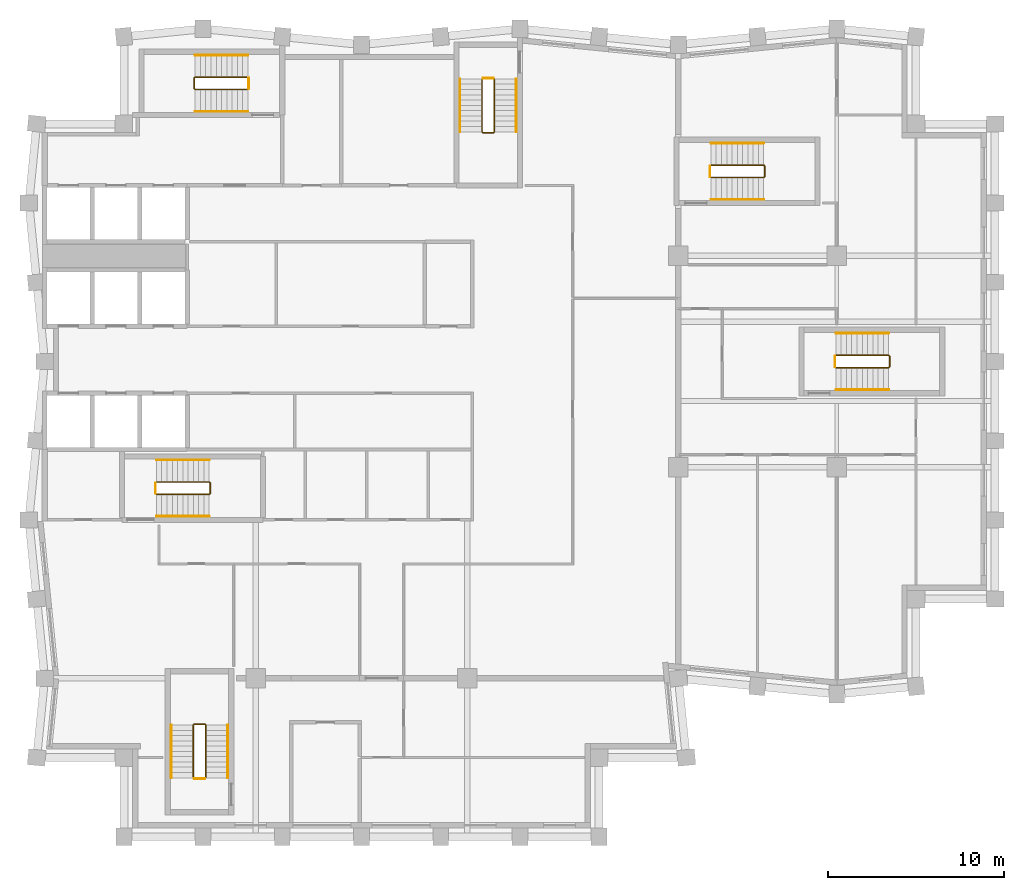
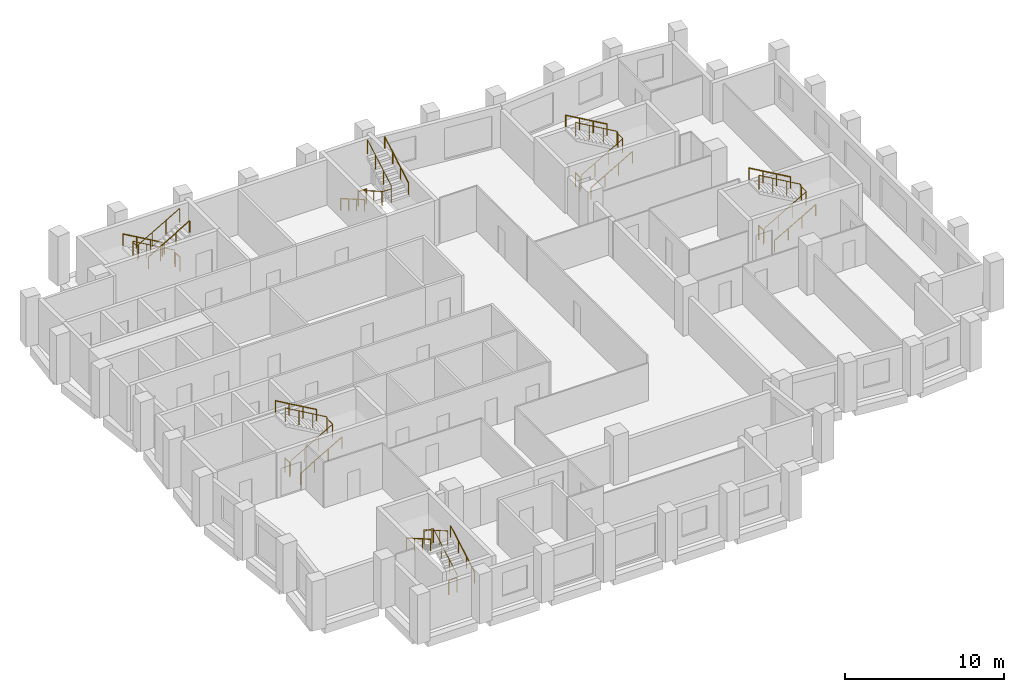
# One storey, part 8 of 8: 24 railings.
"""IFC4 building model written with IfcOpenShell, lengths in metres."""

from ifc_helpers import new_model, si_unit, direction, frame, origin, origin_2d, place, context, subcontext, project, spatial, circle, extrude, material, type_object, element, save


model = new_model("IFC4")

# Units and contexts
model_context = context("Model", 3, precision=1e-05, world=origin(), true_north=direction((0.0, 1.0)))
body_context = subcontext(model_context, "Body", "Model", "MODEL_VIEW")
ifc_project = project(units=[si_unit("LENGTHUNIT", "METRE"), si_unit("AREAUNIT", "SQUARE_METRE"), si_unit("VOLUMEUNIT", "CUBIC_METRE"), si_unit("PLANEANGLEUNIT", "RADIAN"), si_unit("MASSUNIT", "GRAM", prefix="KILO")], contexts=[model_context])

# Site, building, storey
site_placement = place(None, origin())
site = spatial("IfcSite", under=ifc_project, at=site_placement, CompositionType="ELEMENT")
building_placement = place(site_placement, origin())
building = spatial("IfcBuilding", under=site, at=building_placement, Name="Brondeck Convention Tower", CompositionType="ELEMENT")
storey_placement = place(building_placement, frame((0.0, 0.0, 225.39990234375)))
storey = spatial("IfcBuildingStorey", under=building, at=storey_placement, Name="L55", CompositionType="ELEMENT", Elevation=225.39990234375)

# Railings
ifc_material = material(Name="Steel S355", Category="steel")
railing_type_1 = type_object("IfcRailingType", Name="Stair guard 1100", PredefinedType="GUARDRAIL", material=ifc_material)
railing_1_placement = place(storey_placement, frame((6.35009765625, 37.449951171875, 0.1728515625)))
element("IfcRailing", 1, at=railing_1_placement, inside=storey, type_object=railing_type_1, Name="L55 ST-1 stair guard 1", PredefinedType="GUARDRAIL", context=body_context, shape_type="SweptSolid", body=[
    extrude(circle(Radius=0.02392578125, at=origin_2d()), frame((0.0, 0.0, 1.076171875), z_axis=(0.866619684472, 0.0, 0.498969260062), x_axis=(0.0, 1.0, 0.0)), (0.0, 0.0, 1.0), 3.461669921875),
    extrude(circle(Radius=0.02392578125, at=origin_2d()), frame((3.0, 0.0, 2.80322265625), z_axis=(0.705375805398, 0.708833529934, 0.0), x_axis=(-0.708833529934, 0.705375805398, 0.0)), (0.0, 0.0, 1.0), 0.070556640625),
    extrude(circle(Radius=0.02392578125, at=origin_2d()), frame((3.0498046875, 0.050048828125, 2.80322265625), z_axis=(0.0, 1.0, 0.0), x_axis=(-1.0, 0.0, 0.0)), (0.0, 0.0, 1.0), 0.60009765625),
    extrude(circle(Radius=0.02392578125, at=origin_2d()), frame((3.0498046875, 0.650146484375, 2.80322265625), z_axis=(-0.26715648603, 0.26715648603, 0.925880566782), x_axis=(-0.707106781187, -0.707106781187, 0.0)), (0.0, 0.0, 1.0), 0.1865234375),
    extrude(circle(Radius=0.02392578125, at=origin_2d()), frame((3.0, 0.699951171875, 2.97607421875), z_axis=(-0.866619684472, 0.0, 0.498969260062), x_axis=(0.0, -1.0, 0.0)), (0.0, 0.0, 1.0), 3.461669921875),
    extrude(circle(Radius=0.02099609375, at=origin_2d()), origin(), (0.0, 0.0, 1.0), 1.052001953125),
    extrude(circle(Radius=0.02099609375, at=origin_2d()), frame((1.0, 0.0, 0.57568359375)), (0.0, 0.0, 1.0), 1.052001953125),
    extrude(circle(Radius=0.02099609375, at=origin_2d()), frame((2.0, 0.0, 1.151611328125)), (0.0, 0.0, 1.0), 1.052001953125),
    extrude(circle(Radius=0.02099609375, at=origin_2d()), frame((3.0, 0.0, 1.727294921875)), (0.0, 0.0, 1.0), 1.052001953125),
    extrude(circle(Radius=0.02099609375, at=origin_2d()), frame((3.0498046875, 0.050048828125, 1.727294921875)), (0.0, 0.0, 1.0), 1.052001953125),
    extrude(circle(Radius=0.02099609375, at=origin_2d()), frame((3.0498046875, 0.650146484375, 1.727294921875)), (0.0, 0.0, 1.0), 1.052001953125),
    extrude(circle(Radius=0.02099609375, at=origin_2d()), frame((3.0, 0.699951171875, 1.89990234375)), (0.0, 0.0, 1.0), 1.052001953125),
    extrude(circle(Radius=0.02099609375, at=origin_2d()), frame((2.0, 0.699951171875, 2.4755859375)), (0.0, 0.0, 1.0), 1.052001953125),
    extrude(circle(Radius=0.02099609375, at=origin_2d()), frame((1.0, 0.699951171875, 3.051513671875)), (0.0, 0.0, 1.0), 1.052001953125),
    extrude(circle(Radius=0.02099609375, at=origin_2d()), frame((0.0, 0.699951171875, 3.627197265625)), (0.0, 0.0, 1.0), 1.052001953125),
])
railing_2_placement = place(storey_placement, frame((6.300048828125, 37.5, 0.0)))
element("IfcRailing", 2, at=railing_2_placement, inside=storey, type_object=railing_type_1, Name="L55 ST-1 stair guard 2", PredefinedType="GUARDRAIL", context=body_context, shape_type="SweptSolid", body=[
    extrude(circle(Radius=0.02392578125, at=origin_2d()), frame((0.0, 0.0, 1.076171875), z_axis=(0.0, 1.0, 0.0), x_axis=(-1.0, 0.0, 0.0)), (0.0, 0.0, 1.0), 0.60009765625),
    extrude(circle(Radius=0.02099609375, at=origin_2d()), origin(), (0.0, 0.0, 1.0), 1.052001953125),
    extrude(circle(Radius=0.02099609375, at=origin_2d()), frame((0.0, 0.60009765625, 0.0)), (0.0, 0.0, 1.0), 1.052001953125),
])
railing_3_placement = place(storey_placement, frame((24.85009765625, 61.050048828125, 0.1728515625)))
element("IfcRailing", 3, at=railing_3_placement, inside=storey, type_object=railing_type_1, Name="L55 ST-2 stair guard 1", PredefinedType="GUARDRAIL", context=body_context, shape_type="SweptSolid", body=[
    extrude(circle(Radius=0.02392578125, at=origin_2d()), frame((0.0, 0.0, 1.076171875), z_axis=(0.0, -0.866619684472, 0.498969260062), x_axis=(1.0, 0.0, 0.0)), (0.0, 0.0, 1.0), 3.461669921875),
    extrude(circle(Radius=0.02392578125, at=origin_2d()), frame((0.0, -3.0, 2.80322265625), z_axis=(0.705375805398, -0.708833529934, 0.0), x_axis=(0.708833529934, 0.705375805398, 0.0)), (0.0, 0.0, 1.0), 0.070556640625),
    extrude(circle(Radius=0.02392578125, at=origin_2d()), frame((0.0498046875, -3.050048828125, 2.80322265625), z_axis=(1.0, 0.0, 0.0), x_axis=(0.0, 1.0, 0.0)), (0.0, 0.0, 1.0), 0.60009765625),
    extrude(circle(Radius=0.02392578125, at=origin_2d()), frame((0.64990234375, -3.050048828125, 2.80322265625), z_axis=(0.268277960024, 0.268277960024, 0.925231793839), x_axis=(-0.707106781187, 0.707106781187, 0.0)), (0.0, 0.0, 1.0), 0.1865234375),
    extrude(circle(Radius=0.02392578125, at=origin_2d()), frame((0.699951171875, -3.0, 2.97607421875), z_axis=(0.0, 0.866619684472, 0.498969260062), x_axis=(-1.0, 0.0, 0.0)), (0.0, 0.0, 1.0), 3.461669921875),
    extrude(circle(Radius=0.02099609375, at=origin_2d()), origin(), (0.0, 0.0, 1.0), 1.052001953125),
    extrude(circle(Radius=0.02099609375, at=origin_2d()), frame((0.0, -1.0, 0.57568359375)), (0.0, 0.0, 1.0), 1.052001953125),
    extrude(circle(Radius=0.02099609375, at=origin_2d()), frame((0.0, -2.0, 1.151611328125)), (0.0, 0.0, 1.0), 1.052001953125),
    extrude(circle(Radius=0.02099609375, at=origin_2d()), frame((0.0, -3.0, 1.727294921875)), (0.0, 0.0, 1.0), 1.052001953125),
    extrude(circle(Radius=0.02099609375, at=origin_2d()), frame((0.0498046875, -3.050048828125, 1.727294921875)), (0.0, 0.0, 1.0), 1.052001953125),
    extrude(circle(Radius=0.02099609375, at=origin_2d()), frame((0.64990234375, -3.050048828125, 1.727294921875)), (0.0, 0.0, 1.0), 1.052001953125),
    extrude(circle(Radius=0.02099609375, at=origin_2d()), frame((0.699951171875, -3.0, 1.89990234375)), (0.0, 0.0, 1.0), 1.052001953125),
    extrude(circle(Radius=0.02099609375, at=origin_2d()), frame((0.699951171875, -2.0, 2.4755859375)), (0.0, 0.0, 1.0), 1.052001953125),
    extrude(circle(Radius=0.02099609375, at=origin_2d()), frame((0.699951171875, -1.0, 3.051513671875)), (0.0, 0.0, 1.0), 1.052001953125),
    extrude(circle(Radius=0.02099609375, at=origin_2d()), frame((0.699951171875, 0.0, 3.627197265625)), (0.0, 0.0, 1.0), 1.052001953125),
])
railing_4_placement = place(storey_placement, frame((24.89990234375, 61.10009765625, 0.0)))
element("IfcRailing", 4, at=railing_4_placement, inside=storey, type_object=railing_type_1, Name="L55 ST-2 stair guard 2", PredefinedType="GUARDRAIL", context=body_context, shape_type="SweptSolid", body=[
    extrude(circle(Radius=0.02392578125, at=origin_2d()), frame((0.0, 0.0, 1.076171875), z_axis=(1.0, 0.0, 0.0), x_axis=(0.0, 1.0, 0.0)), (0.0, 0.0, 1.0), 0.60009765625),
    extrude(circle(Radius=0.02099609375, at=origin_2d()), origin(), (0.0, 0.0, 1.0), 1.052001953125),
    extrude(circle(Radius=0.02099609375, at=origin_2d()), frame((0.60009765625, 0.0, 0.0)), (0.0, 0.0, 1.0), 1.052001953125),
])
railing_5_placement = place(storey_placement, frame((11.550048828125, 61.14990234375, 0.1728515625)))
element("IfcRailing", 5, at=railing_5_placement, inside=storey, type_object=railing_type_1, Name="L55 ST-3 stair guard 1", PredefinedType="GUARDRAIL", context=body_context, shape_type="SweptSolid", body=[
    extrude(circle(Radius=0.02392578125, at=origin_2d()), frame((0.0, 0.0, 1.076171875), z_axis=(-0.866619684472, 0.0, 0.498969260062), x_axis=(0.0, -1.0, 0.0)), (0.0, 0.0, 1.0), 3.461669921875),
    extrude(circle(Radius=0.02392578125, at=origin_2d()), frame((-3.0, 0.0, 2.80322265625), z_axis=(-0.708833529934, -0.705375805398, 0.0), x_axis=(0.705375805398, -0.708833529934, 0.0)), (0.0, 0.0, 1.0), 0.070556640625),
    extrude(circle(Radius=0.02392578125, at=origin_2d()), frame((-3.050048828125, -0.0498046875, 2.80322265625), z_axis=(0.0, -1.0, 0.0), x_axis=(1.0, 0.0, 0.0)), (0.0, 0.0, 1.0), 0.60009765625),
    extrude(circle(Radius=0.02392578125, at=origin_2d()), frame((-3.050048828125, -0.64990234375, 2.80322265625), z_axis=(0.268277960024, -0.268277960024, 0.925231793839), x_axis=(0.707106781187, 0.707106781187, 0.0)), (0.0, 0.0, 1.0), 0.1865234375),
    extrude(circle(Radius=0.02392578125, at=origin_2d()), frame((-3.0, -0.699951171875, 2.97607421875), z_axis=(0.866619684472, 0.0, 0.498969260062), x_axis=(0.0, 1.0, 0.0)), (0.0, 0.0, 1.0), 3.461669921875),
    extrude(circle(Radius=0.02099609375, at=origin_2d()), origin(), (0.0, 0.0, 1.0), 1.052001953125),
    extrude(circle(Radius=0.02099609375, at=origin_2d()), frame((-1.0, 0.0, 0.57568359375)), (0.0, 0.0, 1.0), 1.052001953125),
    extrude(circle(Radius=0.02099609375, at=origin_2d()), frame((-2.0, 0.0, 1.151611328125)), (0.0, 0.0, 1.0), 1.052001953125),
    extrude(circle(Radius=0.02099609375, at=origin_2d()), frame((-3.0, 0.0, 1.727294921875)), (0.0, 0.0, 1.0), 1.052001953125),
    extrude(circle(Radius=0.02099609375, at=origin_2d()), frame((-3.050048828125, -0.0498046875, 1.727294921875)), (0.0, 0.0, 1.0), 1.052001953125),
    extrude(circle(Radius=0.02099609375, at=origin_2d()), frame((-3.050048828125, -0.64990234375, 1.727294921875)), (0.0, 0.0, 1.0), 1.052001953125),
    extrude(circle(Radius=0.02099609375, at=origin_2d()), frame((-3.0, -0.699951171875, 1.89990234375)), (0.0, 0.0, 1.0), 1.052001953125),
    extrude(circle(Radius=0.02099609375, at=origin_2d()), frame((-2.0, -0.699951171875, 2.4755859375)), (0.0, 0.0, 1.0), 1.052001953125),
    extrude(circle(Radius=0.02099609375, at=origin_2d()), frame((-1.0, -0.699951171875, 3.051513671875)), (0.0, 0.0, 1.0), 1.052001953125),
    extrude(circle(Radius=0.02099609375, at=origin_2d()), frame((0.0, -0.699951171875, 3.627197265625)), (0.0, 0.0, 1.0), 1.052001953125),
])
railing_6_placement = place(storey_placement, frame((11.60009765625, 61.10009765625, 0.0)))
element("IfcRailing", 6, at=railing_6_placement, inside=storey, type_object=railing_type_1, Name="L55 ST-3 stair guard 2", PredefinedType="GUARDRAIL", context=body_context, shape_type="SweptSolid", body=[
    extrude(circle(Radius=0.02392578125, at=origin_2d()), frame((0.0, 0.0, 1.076171875), z_axis=(0.0, -1.0, 0.0), x_axis=(1.0, 0.0, 0.0)), (0.0, 0.0, 1.0), 0.60009765625),
    extrude(circle(Radius=0.02099609375, at=origin_2d()), origin(), (0.0, 0.0, 1.0), 1.052001953125),
    extrude(circle(Radius=0.02099609375, at=origin_2d()), frame((0.0, -0.60009765625, 0.0)), (0.0, 0.0, 1.0), 1.052001953125),
])
railing_7_placement = place(storey_placement, frame((37.85009765625, 55.449951171875, 0.1728515625)))
element("IfcRailing", 7, at=railing_7_placement, inside=storey, type_object=railing_type_1, Name="L55 ST-AE stair guard 1", PredefinedType="GUARDRAIL", context=body_context, shape_type="SweptSolid", body=[
    extrude(circle(Radius=0.02392578125, at=origin_2d()), frame((0.0, 0.0, 1.076171875), z_axis=(0.866619684472, 0.0, 0.498969260062), x_axis=(0.0, 1.0, 0.0)), (0.0, 0.0, 1.0), 3.461669921875),
    extrude(circle(Radius=0.02392578125, at=origin_2d()), frame((3.0, 0.0, 2.80322265625), z_axis=(0.705375805398, 0.708833529934, 0.0), x_axis=(-0.708833529934, 0.705375805398, 0.0)), (0.0, 0.0, 1.0), 0.070556640625),
    extrude(circle(Radius=0.02392578125, at=origin_2d()), frame((3.0498046875, 0.050048828125, 2.80322265625), z_axis=(0.0, 1.0, 0.0), x_axis=(-1.0, 0.0, 0.0)), (0.0, 0.0, 1.0), 0.60009765625),
    extrude(circle(Radius=0.02392578125, at=origin_2d()), frame((3.0498046875, 0.650146484375, 2.80322265625), z_axis=(-0.26715648603, 0.26715648603, 0.925880566782), x_axis=(-0.707106781187, -0.707106781187, 0.0)), (0.0, 0.0, 1.0), 0.1865234375),
    extrude(circle(Radius=0.02392578125, at=origin_2d()), frame((3.0, 0.699951171875, 2.97607421875), z_axis=(-0.866619684472, 0.0, 0.498969260062), x_axis=(0.0, -1.0, 0.0)), (0.0, 0.0, 1.0), 3.461669921875),
    extrude(circle(Radius=0.02099609375, at=origin_2d()), origin(), (0.0, 0.0, 1.0), 1.052001953125),
    extrude(circle(Radius=0.02099609375, at=origin_2d()), frame((1.0, 0.0, 0.57568359375)), (0.0, 0.0, 1.0), 1.052001953125),
    extrude(circle(Radius=0.02099609375, at=origin_2d()), frame((2.0, 0.0, 1.151611328125)), (0.0, 0.0, 1.0), 1.052001953125),
    extrude(circle(Radius=0.02099609375, at=origin_2d()), frame((3.0, 0.0, 1.727294921875)), (0.0, 0.0, 1.0), 1.052001953125),
    extrude(circle(Radius=0.02099609375, at=origin_2d()), frame((3.0498046875, 0.050048828125, 1.727294921875)), (0.0, 0.0, 1.0), 1.052001953125),
    extrude(circle(Radius=0.02099609375, at=origin_2d()), frame((3.0498046875, 0.650146484375, 1.727294921875)), (0.0, 0.0, 1.0), 1.052001953125),
    extrude(circle(Radius=0.02099609375, at=origin_2d()), frame((3.0, 0.699951171875, 1.89990234375)), (0.0, 0.0, 1.0), 1.052001953125),
    extrude(circle(Radius=0.02099609375, at=origin_2d()), frame((2.0, 0.699951171875, 2.4755859375)), (0.0, 0.0, 1.0), 1.052001953125),
    extrude(circle(Radius=0.02099609375, at=origin_2d()), frame((1.0, 0.699951171875, 3.051513671875)), (0.0, 0.0, 1.0), 1.052001953125),
    extrude(circle(Radius=0.02099609375, at=origin_2d()), frame((0.0, 0.699951171875, 3.627197265625)), (0.0, 0.0, 1.0), 1.052001953125),
])
railing_8_placement = place(storey_placement, frame((37.800048828125, 55.5, 0.0)))
element("IfcRailing", 8, at=railing_8_placement, inside=storey, type_object=railing_type_1, Name="L55 ST-AE stair guard 2", PredefinedType="GUARDRAIL", context=body_context, shape_type="SweptSolid", body=[
    extrude(circle(Radius=0.02392578125, at=origin_2d()), frame((0.0, 0.0, 1.076171875), z_axis=(0.0, 1.0, 0.0), x_axis=(-1.0, 0.0, 0.0)), (0.0, 0.0, 1.0), 0.60009765625),
    extrude(circle(Radius=0.02099609375, at=origin_2d()), origin(), (0.0, 0.0, 1.0), 1.052001953125),
    extrude(circle(Radius=0.02099609375, at=origin_2d()), frame((0.0, 0.60009765625, 0.0)), (0.0, 0.0, 1.0), 1.052001953125),
])
railing_9_placement = place(storey_placement, frame((9.14990234375, 21.35009765625, 0.1728515625)))
element("IfcRailing", 9, at=railing_9_placement, inside=storey, type_object=railing_type_1, Name="L55 ST-BE stair guard 1", PredefinedType="GUARDRAIL", context=body_context, shape_type="SweptSolid", body=[
    extrude(circle(Radius=0.02392578125, at=origin_2d()), frame((0.0, 0.0, 1.076171875), z_axis=(0.0, 0.866619684472, 0.498969260062), x_axis=(-1.0, 0.0, 0.0)), (0.0, 0.0, 1.0), 3.461669921875),
    extrude(circle(Radius=0.02392578125, at=origin_2d()), frame((0.0, 3.0, 2.80322265625), z_axis=(-0.707106781187, 0.707106781187, 0.0), x_axis=(-0.707106781187, -0.707106781187, 0.0)), (0.0, 0.0, 1.0), 0.0703125),
    extrude(circle(Radius=0.02392578125, at=origin_2d()), frame((-0.0498046875, 3.0498046875, 2.80322265625), z_axis=(-1.0, 0.0, 0.0), x_axis=(0.0, -1.0, 0.0)), (0.0, 0.0, 1.0), 0.60009765625),
    extrude(circle(Radius=0.02392578125, at=origin_2d()), frame((-0.64990234375, 3.0498046875, 2.80322265625), z_axis=(-0.268371968888, -0.267062837333, 0.925556009775), x_axis=(0.705375805398, -0.708833529934, 0.0)), (0.0, 0.0, 1.0), 0.1865234375),
    extrude(circle(Radius=0.02392578125, at=origin_2d()), frame((-0.699951171875, 3.0, 2.97607421875), z_axis=(0.0, -0.866619684472, 0.498969260062), x_axis=(1.0, 0.0, 0.0)), (0.0, 0.0, 1.0), 3.461669921875),
    extrude(circle(Radius=0.02099609375, at=origin_2d()), origin(), (0.0, 0.0, 1.0), 1.052001953125),
    extrude(circle(Radius=0.02099609375, at=origin_2d()), frame((0.0, 1.0, 0.57568359375)), (0.0, 0.0, 1.0), 1.052001953125),
    extrude(circle(Radius=0.02099609375, at=origin_2d()), frame((0.0, 2.0, 1.151611328125)), (0.0, 0.0, 1.0), 1.052001953125),
    extrude(circle(Radius=0.02099609375, at=origin_2d()), frame((0.0, 3.0, 1.727294921875)), (0.0, 0.0, 1.0), 1.052001953125),
    extrude(circle(Radius=0.02099609375, at=origin_2d()), frame((-0.0498046875, 3.0498046875, 1.727294921875)), (0.0, 0.0, 1.0), 1.052001953125),
    extrude(circle(Radius=0.02099609375, at=origin_2d()), frame((-0.64990234375, 3.0498046875, 1.727294921875)), (0.0, 0.0, 1.0), 1.052001953125),
    extrude(circle(Radius=0.02099609375, at=origin_2d()), frame((-0.699951171875, 3.0, 1.89990234375)), (0.0, 0.0, 1.0), 1.052001953125),
    extrude(circle(Radius=0.02099609375, at=origin_2d()), frame((-0.699951171875, 2.0, 2.4755859375)), (0.0, 0.0, 1.0), 1.052001953125),
    extrude(circle(Radius=0.02099609375, at=origin_2d()), frame((-0.699951171875, 1.0, 3.051513671875)), (0.0, 0.0, 1.0), 1.052001953125),
    extrude(circle(Radius=0.02099609375, at=origin_2d()), frame((-0.699951171875, 0.0, 3.627197265625)), (0.0, 0.0, 1.0), 1.052001953125),
])
railing_10_placement = place(storey_placement, frame((9.10009765625, 21.300048828125, 0.0)))
element("IfcRailing", 10, at=railing_10_placement, inside=storey, type_object=railing_type_1, Name="L55 ST-BE stair guard 2", PredefinedType="GUARDRAIL", context=body_context, shape_type="SweptSolid", body=[
    extrude(circle(Radius=0.02392578125, at=origin_2d()), frame((0.0, 0.0, 1.076171875), z_axis=(-1.0, 0.0, 0.0), x_axis=(0.0, -1.0, 0.0)), (0.0, 0.0, 1.0), 0.60009765625),
    extrude(circle(Radius=0.02099609375, at=origin_2d()), origin(), (0.0, 0.0, 1.0), 1.052001953125),
    extrude(circle(Radius=0.02099609375, at=origin_2d()), frame((-0.60009765625, 0.0, 0.0)), (0.0, 0.0, 1.0), 1.052001953125),
])
railing_11_placement = place(storey_placement, frame((44.949951171875, 44.64990234375, 0.1728515625)))
element("IfcRailing", 11, at=railing_11_placement, inside=storey, type_object=railing_type_1, Name="L55 ST-AF stair guard 1", PredefinedType="GUARDRAIL", context=body_context, shape_type="SweptSolid", body=[
    extrude(circle(Radius=0.02392578125, at=origin_2d()), frame((0.0, 0.0, 1.076171875), z_axis=(0.866619684472, 0.0, 0.498969260062), x_axis=(0.0, 1.0, 0.0)), (0.0, 0.0, 1.0), 3.461669921875),
    extrude(circle(Radius=0.02392578125, at=origin_2d()), frame((3.0, 0.0, 2.80322265625), z_axis=(0.707106781187, 0.707106781187, 0.0), x_axis=(-0.707106781187, 0.707106781187, 0.0)), (0.0, 0.0, 1.0), 0.07080078125),
    extrude(circle(Radius=0.02392578125, at=origin_2d()), frame((3.050048828125, 0.050048828125, 2.80322265625), z_axis=(0.0, 1.0, 0.0), x_axis=(-1.0, 0.0, 0.0)), (0.0, 0.0, 1.0), 0.60009765625),
    extrude(circle(Radius=0.02392578125, at=origin_2d()), frame((3.050048828125, 0.650146484375, 2.80322265625), z_axis=(-0.268277960024, 0.268277960024, 0.925231793839), x_axis=(-0.707106781187, -0.707106781187, 0.0)), (0.0, 0.0, 1.0), 0.1865234375),
    extrude(circle(Radius=0.02392578125, at=origin_2d()), frame((3.0, 0.7001953125, 2.97607421875), z_axis=(-0.866619684472, 0.0, 0.498969260062), x_axis=(0.0, -1.0, 0.0)), (0.0, 0.0, 1.0), 3.461669921875),
    extrude(circle(Radius=0.02099609375, at=origin_2d()), origin(), (0.0, 0.0, 1.0), 1.052001953125),
    extrude(circle(Radius=0.02099609375, at=origin_2d()), frame((1.0, 0.0, 0.57568359375)), (0.0, 0.0, 1.0), 1.052001953125),
    extrude(circle(Radius=0.02099609375, at=origin_2d()), frame((2.0, 0.0, 1.151611328125)), (0.0, 0.0, 1.0), 1.052001953125),
    extrude(circle(Radius=0.02099609375, at=origin_2d()), frame((3.0, 0.0, 1.727294921875)), (0.0, 0.0, 1.0), 1.052001953125),
    extrude(circle(Radius=0.02099609375, at=origin_2d()), frame((3.050048828125, 0.050048828125, 1.727294921875)), (0.0, 0.0, 1.0), 1.052001953125),
    extrude(circle(Radius=0.02099609375, at=origin_2d()), frame((3.050048828125, 0.650146484375, 1.727294921875)), (0.0, 0.0, 1.0), 1.052001953125),
    extrude(circle(Radius=0.02099609375, at=origin_2d()), frame((3.0, 0.7001953125, 1.89990234375)), (0.0, 0.0, 1.0), 1.052001953125),
    extrude(circle(Radius=0.02099609375, at=origin_2d()), frame((2.0, 0.7001953125, 2.4755859375)), (0.0, 0.0, 1.0), 1.052001953125),
    extrude(circle(Radius=0.02099609375, at=origin_2d()), frame((1.0, 0.7001953125, 3.051513671875)), (0.0, 0.0, 1.0), 1.052001953125),
    extrude(circle(Radius=0.02099609375, at=origin_2d()), frame((0.0, 0.7001953125, 3.627197265625)), (0.0, 0.0, 1.0), 1.052001953125),
])
railing_12_placement = place(storey_placement, frame((44.89990234375, 44.699951171875, 0.0)))
element("IfcRailing", 12, at=railing_12_placement, inside=storey, type_object=railing_type_1, Name="L55 ST-AF stair guard 2", PredefinedType="GUARDRAIL", context=body_context, shape_type="SweptSolid", body=[
    extrude(circle(Radius=0.02392578125, at=origin_2d()), frame((0.0, 0.0, 1.076171875), z_axis=(0.0, 1.0, 0.0), x_axis=(-1.0, 0.0, 0.0)), (0.0, 0.0, 1.0), 0.60009765625),
    extrude(circle(Radius=0.02099609375, at=origin_2d()), origin(), (0.0, 0.0, 1.0), 1.052001953125),
    extrude(circle(Radius=0.02099609375, at=origin_2d()), frame((0.0, 0.60009765625, 0.0)), (0.0, 0.0, 1.0), 1.052001953125),
])
railing_type_2 = type_object("IfcRailingType", Name="Stair handrail", PredefinedType="HANDRAIL", material=ifc_material)
railing_13_placement = place(storey_placement, frame((6.35009765625, 36.199951171875, 0.1728515625)))
element("IfcRailing", 13, at=railing_13_placement, inside=storey, type_object=railing_type_2, Name="L55 ST-1 stair handrail 1", PredefinedType="HANDRAIL", context=body_context, shape_type="SweptSolid", body=[
    extrude(circle(Radius=0.02392578125, at=origin_2d()), frame((0.0, 0.0, 0.8759765625), z_axis=(0.866619684472, 0.0, 0.498969260062), x_axis=(0.0, 1.0, 0.0)), (0.0, 0.0, 1.0), 3.461669921875),
    extrude(circle(Radius=0.02099609375, at=origin_2d()), origin(), (0.0, 0.0, 1.0), 0.851806640625),
    extrude(circle(Radius=0.02099609375, at=origin_2d()), frame((1.0, 0.0, 0.57568359375)), (0.0, 0.0, 1.0), 0.851806640625),
    extrude(circle(Radius=0.02099609375, at=origin_2d()), frame((2.0, 0.0, 1.151611328125)), (0.0, 0.0, 1.0), 0.851806640625),
    extrude(circle(Radius=0.02099609375, at=origin_2d()), frame((3.0, 0.0, 1.727294921875)), (0.0, 0.0, 1.0), 0.851806640625),
])
railing_14_placement = place(storey_placement, frame((9.35009765625, 39.39990234375, 2.07275390625)))
element("IfcRailing", 14, at=railing_14_placement, inside=storey, type_object=railing_type_2, Name="L55 ST-1 stair handrail 2", PredefinedType="HANDRAIL", context=body_context, shape_type="SweptSolid", body=[
    extrude(circle(Radius=0.02392578125, at=origin_2d()), frame((0.0, 0.0, 0.8759765625), z_axis=(-0.866619684472, 0.0, 0.498969260062), x_axis=(0.0, -1.0, 0.0)), (0.0, 0.0, 1.0), 3.461669921875),
    extrude(circle(Radius=0.02099609375, at=origin_2d()), origin(), (0.0, 0.0, 1.0), 0.851806640625),
    extrude(circle(Radius=0.02099609375, at=origin_2d()), frame((-1.0, 0.0, 0.57568359375)), (0.0, 0.0, 1.0), 0.851806640625),
    extrude(circle(Radius=0.02099609375, at=origin_2d()), frame((-2.0, 0.0, 1.151611328125)), (0.0, 0.0, 1.0), 0.851806640625),
    extrude(circle(Radius=0.02099609375, at=origin_2d()), frame((-3.0, 0.0, 1.727294921875)), (0.0, 0.0, 1.0), 0.851806640625),
])
railing_15_placement = place(storey_placement, frame((23.60009765625, 61.050048828125, 0.1728515625)))
element("IfcRailing", 15, at=railing_15_placement, inside=storey, type_object=railing_type_2, Name="L55 ST-2 stair handrail 1", PredefinedType="HANDRAIL", context=body_context, shape_type="SweptSolid", body=[
    extrude(circle(Radius=0.02392578125, at=origin_2d()), frame((0.0, 0.0, 0.8759765625), z_axis=(0.0, -0.866619684472, 0.498969260062), x_axis=(1.0, 0.0, 0.0)), (0.0, 0.0, 1.0), 3.461669921875),
    extrude(circle(Radius=0.02099609375, at=origin_2d()), origin(), (0.0, 0.0, 1.0), 0.851806640625),
    extrude(circle(Radius=0.02099609375, at=origin_2d()), frame((0.0, -1.0, 0.57568359375)), (0.0, 0.0, 1.0), 0.851806640625),
    extrude(circle(Radius=0.02099609375, at=origin_2d()), frame((0.0, -2.0, 1.151611328125)), (0.0, 0.0, 1.0), 0.851806640625),
    extrude(circle(Radius=0.02099609375, at=origin_2d()), frame((0.0, -3.0, 1.727294921875)), (0.0, 0.0, 1.0), 0.851806640625),
])
railing_16_placement = place(storey_placement, frame((26.800048828125, 58.050048828125, 2.07275390625)))
element("IfcRailing", 16, at=railing_16_placement, inside=storey, type_object=railing_type_2, Name="L55 ST-2 stair handrail 2", PredefinedType="HANDRAIL", context=body_context, shape_type="SweptSolid", body=[
    extrude(circle(Radius=0.02392578125, at=origin_2d()), frame((0.0, 0.0, 0.8759765625), z_axis=(0.0, 0.866619684472, 0.498969260062), x_axis=(-1.0, 0.0, 0.0)), (0.0, 0.0, 1.0), 3.461669921875),
    extrude(circle(Radius=0.02099609375, at=origin_2d()), origin(), (0.0, 0.0, 1.0), 0.851806640625),
    extrude(circle(Radius=0.02099609375, at=origin_2d()), frame((0.0, 1.0, 0.57568359375)), (0.0, 0.0, 1.0), 0.851806640625),
    extrude(circle(Radius=0.02099609375, at=origin_2d()), frame((0.0, 2.0, 1.151611328125)), (0.0, 0.0, 1.0), 0.851806640625),
    extrude(circle(Radius=0.02099609375, at=origin_2d()), frame((0.0, 3.0, 1.727294921875)), (0.0, 0.0, 1.0), 0.851806640625),
])
railing_17_placement = place(storey_placement, frame((11.550048828125, 62.39990234375, 0.1728515625)))
element("IfcRailing", 17, at=railing_17_placement, inside=storey, type_object=railing_type_2, Name="L55 ST-3 stair handrail 1", PredefinedType="HANDRAIL", context=body_context, shape_type="SweptSolid", body=[
    extrude(circle(Radius=0.02392578125, at=origin_2d()), frame((0.0, 0.0, 0.8759765625), z_axis=(-0.866619684472, 0.0, 0.498969260062), x_axis=(0.0, -1.0, 0.0)), (0.0, 0.0, 1.0), 3.461669921875),
    extrude(circle(Radius=0.02099609375, at=origin_2d()), origin(), (0.0, 0.0, 1.0), 0.851806640625),
    extrude(circle(Radius=0.02099609375, at=origin_2d()), frame((-1.0, 0.0, 0.57568359375)), (0.0, 0.0, 1.0), 0.851806640625),
    extrude(circle(Radius=0.02099609375, at=origin_2d()), frame((-2.0, 0.0, 1.151611328125)), (0.0, 0.0, 1.0), 0.851806640625),
    extrude(circle(Radius=0.02099609375, at=origin_2d()), frame((-3.0, 0.0, 1.727294921875)), (0.0, 0.0, 1.0), 0.851806640625),
])
for number, where, name in (
    (18, (8.550048828125, 59.199951171875, 2.07275390625), "L55 ST-3 stair handrail 2"),
    (19, (37.85009765625, 54.199951171875, 0.1728515625), "L55 ST-AE stair handrail 1"),
):
    element("IfcRailing", number, at=place(storey_placement, frame(where)), inside=storey, type_object=railing_type_2, Name=name, PredefinedType="HANDRAIL", context=body_context, shape_type="SweptSolid", body=[
        extrude(circle(Radius=0.02392578125, at=origin_2d()), frame((0.0, 0.0, 0.8759765625), z_axis=(0.866619684472, 0.0, 0.498969260062), x_axis=(0.0, 1.0, 0.0)), (0.0, 0.0, 1.0), 3.461669921875),
        extrude(circle(Radius=0.02099609375, at=origin_2d()), origin(), (0.0, 0.0, 1.0), 0.851806640625),
        extrude(circle(Radius=0.02099609375, at=origin_2d()), frame((1.0, 0.0, 0.57568359375)), (0.0, 0.0, 1.0), 0.851806640625),
        extrude(circle(Radius=0.02099609375, at=origin_2d()), frame((2.0, 0.0, 1.151611328125)), (0.0, 0.0, 1.0), 0.851806640625),
        extrude(circle(Radius=0.02099609375, at=origin_2d()), frame((3.0, 0.0, 1.727294921875)), (0.0, 0.0, 1.0), 0.851806640625),
    ])
railing_18_placement = place(storey_placement, frame((40.85009765625, 57.39990234375, 2.07275390625)))
element("IfcRailing", 20, at=railing_18_placement, inside=storey, type_object=railing_type_2, Name="L55 ST-AE stair handrail 2", PredefinedType="HANDRAIL", context=body_context, shape_type="SweptSolid", body=[
    extrude(circle(Radius=0.02392578125, at=origin_2d()), frame((0.0, 0.0, 0.8759765625), z_axis=(-0.866619684472, 0.0, 0.498969260062), x_axis=(0.0, -1.0, 0.0)), (0.0, 0.0, 1.0), 3.461669921875),
    extrude(circle(Radius=0.02099609375, at=origin_2d()), origin(), (0.0, 0.0, 1.0), 0.851806640625),
    extrude(circle(Radius=0.02099609375, at=origin_2d()), frame((-1.0, 0.0, 0.57568359375)), (0.0, 0.0, 1.0), 0.851806640625),
    extrude(circle(Radius=0.02099609375, at=origin_2d()), frame((-2.0, 0.0, 1.151611328125)), (0.0, 0.0, 1.0), 0.851806640625),
    extrude(circle(Radius=0.02099609375, at=origin_2d()), frame((-3.0, 0.0, 1.727294921875)), (0.0, 0.0, 1.0), 0.851806640625),
])
railing_19_placement = place(storey_placement, frame((10.39990234375, 21.35009765625, 0.1728515625)))
element("IfcRailing", 21, at=railing_19_placement, inside=storey, type_object=railing_type_2, Name="L55 ST-BE stair handrail 1", PredefinedType="HANDRAIL", context=body_context, shape_type="SweptSolid", body=[
    extrude(circle(Radius=0.02392578125, at=origin_2d()), frame((0.0, 0.0, 0.8759765625), z_axis=(0.0, 0.866619684472, 0.498969260062), x_axis=(-1.0, 0.0, 0.0)), (0.0, 0.0, 1.0), 3.461669921875),
    extrude(circle(Radius=0.02099609375, at=origin_2d()), origin(), (0.0, 0.0, 1.0), 0.851806640625),
    extrude(circle(Radius=0.02099609375, at=origin_2d()), frame((0.0, 1.0, 0.57568359375)), (0.0, 0.0, 1.0), 0.851806640625),
    extrude(circle(Radius=0.02099609375, at=origin_2d()), frame((0.0, 2.0, 1.151611328125)), (0.0, 0.0, 1.0), 0.851806640625),
    extrude(circle(Radius=0.02099609375, at=origin_2d()), frame((0.0, 3.0, 1.727294921875)), (0.0, 0.0, 1.0), 0.851806640625),
])
railing_20_placement = place(storey_placement, frame((7.199951171875, 24.35009765625, 2.07275390625)))
element("IfcRailing", 22, at=railing_20_placement, inside=storey, type_object=railing_type_2, Name="L55 ST-BE stair handrail 2", PredefinedType="HANDRAIL", context=body_context, shape_type="SweptSolid", body=[
    extrude(circle(Radius=0.02392578125, at=origin_2d()), frame((0.0, 0.0, 0.8759765625), z_axis=(0.0, -0.866619684472, 0.498969260062), x_axis=(1.0, 0.0, 0.0)), (0.0, 0.0, 1.0), 3.461669921875),
    extrude(circle(Radius=0.02099609375, at=origin_2d()), origin(), (0.0, 0.0, 1.0), 0.851806640625),
    extrude(circle(Radius=0.02099609375, at=origin_2d()), frame((0.0, -1.0, 0.57568359375)), (0.0, 0.0, 1.0), 0.851806640625),
    extrude(circle(Radius=0.02099609375, at=origin_2d()), frame((0.0, -2.0, 1.151611328125)), (0.0, 0.0, 1.0), 0.851806640625),
    extrude(circle(Radius=0.02099609375, at=origin_2d()), frame((0.0, -3.0, 1.727294921875)), (0.0, 0.0, 1.0), 0.851806640625),
])
railing_21_placement = place(storey_placement, frame((44.949951171875, 43.39990234375, 0.1728515625)))
element("IfcRailing", 23, at=railing_21_placement, inside=storey, type_object=railing_type_2, Name="L55 ST-AF stair handrail 1", PredefinedType="HANDRAIL", context=body_context, shape_type="SweptSolid", body=[
    extrude(circle(Radius=0.02392578125, at=origin_2d()), frame((0.0, 0.0, 0.8759765625), z_axis=(0.866619684472, 0.0, 0.498969260062), x_axis=(0.0, 1.0, 0.0)), (0.0, 0.0, 1.0), 3.461669921875),
    extrude(circle(Radius=0.02099609375, at=origin_2d()), origin(), (0.0, 0.0, 1.0), 0.851806640625),
    extrude(circle(Radius=0.02099609375, at=origin_2d()), frame((1.0, 0.0, 0.57568359375)), (0.0, 0.0, 1.0), 0.851806640625),
    extrude(circle(Radius=0.02099609375, at=origin_2d()), frame((2.0, 0.0, 1.151611328125)), (0.0, 0.0, 1.0), 0.851806640625),
    extrude(circle(Radius=0.02099609375, at=origin_2d()), frame((3.0, 0.0, 1.727294921875)), (0.0, 0.0, 1.0), 0.851806640625),
])
railing_22_placement = place(storey_placement, frame((47.949951171875, 46.60009765625, 2.07275390625)))
element("IfcRailing", 24, at=railing_22_placement, inside=storey, type_object=railing_type_2, Name="L55 ST-AF stair handrail 2", PredefinedType="HANDRAIL", context=body_context, shape_type="SweptSolid", body=[
    extrude(circle(Radius=0.02392578125, at=origin_2d()), frame((0.0, 0.0, 0.8759765625), z_axis=(-0.866619684472, 0.0, 0.498969260062), x_axis=(0.0, -1.0, 0.0)), (0.0, 0.0, 1.0), 3.461669921875),
    extrude(circle(Radius=0.02099609375, at=origin_2d()), origin(), (0.0, 0.0, 1.0), 0.851806640625),
    extrude(circle(Radius=0.02099609375, at=origin_2d()), frame((-1.0, 0.0, 0.57568359375)), (0.0, 0.0, 1.0), 0.851806640625),
    extrude(circle(Radius=0.02099609375, at=origin_2d()), frame((-2.0, 0.0, 1.151611328125)), (0.0, 0.0, 1.0), 0.851806640625),
    extrude(circle(Radius=0.02099609375, at=origin_2d()), frame((-3.0, 0.0, 1.727294921875)), (0.0, 0.0, 1.0), 0.851806640625),
])

save(model, "model.ifc")
